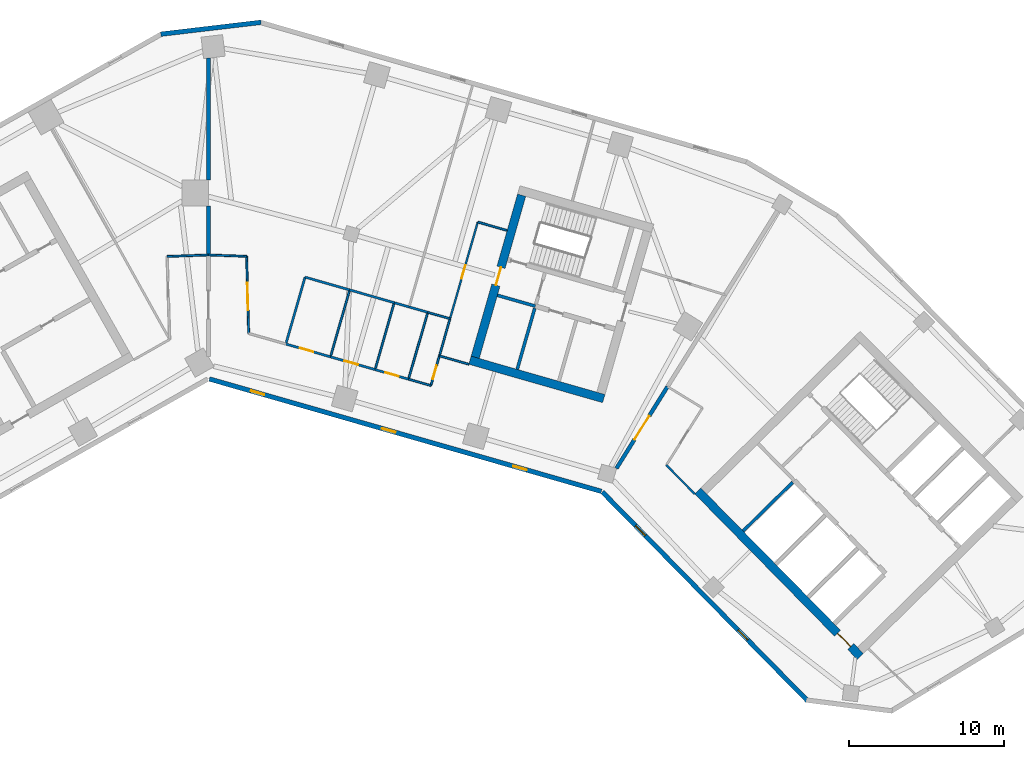
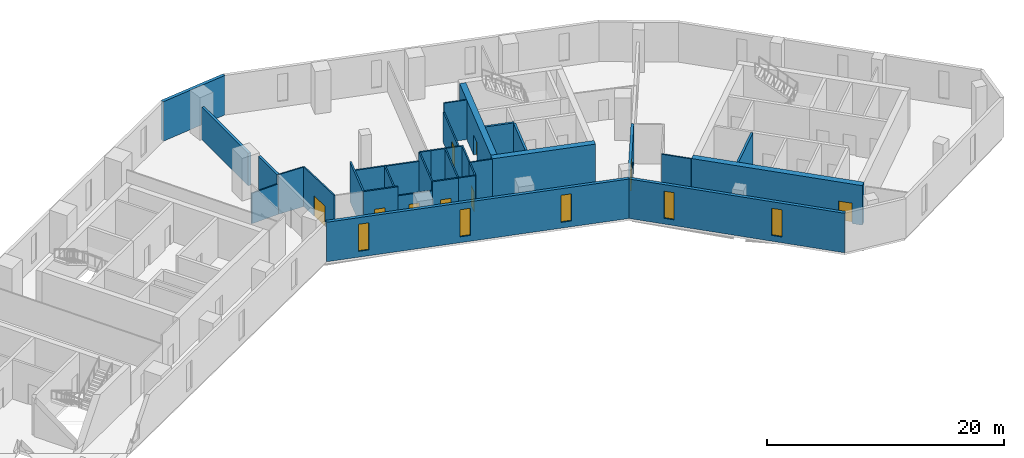
# One storey, part 5 of 10: 34 walls, 9 doors, 5 windows, 14 openings.
"""IFC4 building model written with IfcOpenShell, lengths in metres."""

import ifcopenshell
import ifcopenshell.guid

model = None  # the IFC model being written
_history = None  # IfcOwnerHistory: only IFC2X3 demands one
_inside = {}  # id of a spatial element -> (the spatial element, [elements in it])
_under = {}  # id of a project, library or spatial element -> (it, [spatial elements below it])
_declared = {}  # id of a project -> (the project, [libraries it declares])
_typed = {}  # id of a type object -> (the type object, [elements of that type])
_made_of = {}  # id of a material, layer set ... -> (it, [elements and type objects made of it])


def new_model(schema):
    """Start an empty IFC model of exactly this schema.

    Asked for "IFC4X3", IfcOpenShell would pick the latest addendum, in which some entities
    have other attributes; the version numbers below select the first issue.
    IFC2X3 requires an IfcOwnerHistory on every rooted entity: one is made here for all.
    """
    global model, _history
    if schema == "IFC4X3":
        model = ifcopenshell.file(schema_version=(4, 3, 0, 0))
    else:
        model = ifcopenshell.file(schema=schema)
    _inside.clear()
    _under.clear()
    _declared.clear()
    _typed.clear()
    _made_of.clear()
    _history = None
    if model.schema == "IFC2X3":
        org = make("IfcOrganization", Name="unknown")
        user = make(
            "IfcPersonAndOrganization",
            ThePerson=make("IfcPerson", FamilyName="unknown"),
            TheOrganization=org,
        )
        app = make(
            "IfcApplication",
            ApplicationDeveloper=org,
            Version="unknown",
            ApplicationFullName="unknown",
            ApplicationIdentifier="unknown",
        )
        _history = make(
            "IfcOwnerHistory",
            OwningUser=user,
            OwningApplication=app,
            ChangeAction="ADDED",
            CreationDate=0,
        )
    return model


def make(cls, **values):
    """One entity of the class cls with the attributes given. An attribute that is None is left unset."""
    return model.create_entity(
        cls, **{name: value for name, value in values.items() if value is not None}
    )


def rooted(cls, **values):
    """An entity with a GlobalId (a new one), such as an element, a storey or a relation."""
    return make(cls, GlobalId=ifcopenshell.guid.new(), OwnerHistory=_history, **values)


def si_unit(unit_type, name, prefix=None):
    """IfcSIUnit, for example si_unit("LENGTHUNIT", "METRE", prefix="MILLI")."""
    return make("IfcSIUnit", UnitType=unit_type, Prefix=prefix, Name=name)


def assignment(units):
    """IfcUnitAssignment: the units of a project."""
    return None if units is None else make("IfcUnitAssignment", Units=units)


def point(xyz):
    """IfcCartesianPoint."""
    return None if xyz is None else make("IfcCartesianPoint", Coordinates=xyz)


def direction(xyz):
    """IfcDirection."""
    return None if xyz is None else make("IfcDirection", DirectionRatios=xyz)


def frame(location, z_axis=None, x_axis=None):
    """IfcAxis2Placement3D, a coordinate frame: its origin and axes. An axis left out is left unset."""
    return make(
        "IfcAxis2Placement3D",
        Location=point(location),
        Axis=direction(z_axis),
        RefDirection=direction(x_axis),
    )


def frame_2d(location, x_axis=None):
    """IfcAxis2Placement2D, a coordinate frame in the plane: its origin and x axis."""
    return make(
        "IfcAxis2Placement2D", Location=point(location), RefDirection=direction(x_axis)
    )


def origin():
    """The frame at (0, 0, 0) with its axes left unset."""
    return frame((0.0, 0.0, 0.0))


def place(relative_to, where):
    """IfcLocalPlacement: puts the frame where relative to a parent placement (None: the world)."""
    return make(
        "IfcLocalPlacement", PlacementRelTo=relative_to, RelativePlacement=where
    )


def context(
    kind, dimensions, precision=None, world=None, true_north=None, identifier=None
):
    """IfcGeometricRepresentationContext, for example the 3D "Model" context."""
    return make(
        "IfcGeometricRepresentationContext",
        ContextIdentifier=identifier,
        ContextType=kind,
        CoordinateSpaceDimension=dimensions,
        Precision=precision,
        WorldCoordinateSystem=world,
        TrueNorth=true_north,
    )


def subcontext(parent, identifier, kind, view, scale=None):
    """IfcGeometricRepresentationSubContext, for example "Body" below "Model"."""
    return make(
        "IfcGeometricRepresentationSubContext",
        ContextIdentifier=identifier,
        ContextType=kind,
        ParentContext=parent,
        TargetScale=scale,
        TargetView=view,
    )


def project(units=None, contexts=None):
    """IfcProject with its units and contexts."""
    return rooted(
        "IfcProject",
        Name="project",
        RepresentationContexts=contexts,
        UnitsInContext=assignment(units),
    )


def spatial(cls, under=None, at=None, **own):
    """A site, building, storey or space (cls), placed at a placement, below another one or the project."""
    s = rooted(cls, ObjectPlacement=at, **own)
    if under is not None:
        _under.setdefault(under.id(), (under, []))[1].append(s)
    return s


def profile(cls, at=None, kind="AREA", **sizes):
    """A parametric profile (cls). Its sizes go by their IFC names, for example OverallWidth=200.0."""
    return make(cls, ProfileType=kind, Position=at, **sizes)


def rectangle(**sizes):
    """IfcRectangleProfileDef."""
    return profile("IfcRectangleProfileDef", **sizes)


def extrude(swept, where, along, depth):
    """IfcExtrudedAreaSolid: the profile swept, set in the frame where, extruded along a direction by depth."""
    return make(
        "IfcExtrudedAreaSolid",
        SweptArea=swept,
        Position=where,
        ExtrudedDirection=direction(along),
        Depth=depth,
    )


def shape(context_of_items, identifier, shape_type, items):
    """IfcShapeRepresentation: the items that make up one representation, for example the "Body"."""
    return make(
        "IfcShapeRepresentation",
        ContextOfItems=context_of_items,
        RepresentationIdentifier=identifier,
        RepresentationType=shape_type,
        Items=items,
    )


def material(Name=None, Category=None):
    """IfcMaterial."""
    return make("IfcMaterial", Name=Name, Category=Category)


def layer(
    of_material, thickness, ventilated=None, Name=None, Category=None, Priority=None
):
    """IfcMaterialLayer: one layer of a wall or slab, of a material (None: an air gap)."""
    return make(
        "IfcMaterialLayer",
        Material=of_material,
        LayerThickness=thickness,
        IsVentilated=ventilated,
        Name=Name,
        Category=Category,
        Priority=Priority,
    )


def layer_set(layers, Name=None):
    """IfcMaterialLayerSet."""
    return make("IfcMaterialLayerSet", MaterialLayers=layers, LayerSetName=Name)


def made_of(thing, what):
    """Note that an element or type object is made of a material, layer set ...; save() writes the relation."""
    if what is not None:
        _made_of.setdefault(what.id(), (what, []))[1].append(thing)
    return thing


def type_object(cls, material=None, **own):
    """A type object (cls), such as IfcWallType, which elements share."""
    return made_of(rooted(cls, **own), material)


def element(
    cls,
    number,
    at=None,
    inside=None,
    cuts=None,
    type_object=None,
    material=None,
    context=None,
    identifier="Body",
    shape_type=None,
    held_by="IfcProductDefinitionShape",
    body=None,
    shapes=None,
    **own,
):
    """One element of the class cls, such as IfcWall. Its Tag is "e" and its number.

    at: its placement. inside: the storey or other place that contains it. cuts: it is an
    opening in that element (IfcRelVoidsElement). A single representation is given by context,
    identifier, shape_type and body (its items); several are given by shapes. held_by: the class
    of the entity that holds the representations. save() writes the other relations.
    """
    e = rooted(cls, Tag="e%d" % number, ObjectPlacement=at, **own)
    if body is not None:
        shapes = [shape(context, identifier, shape_type, body)]
    if shapes is not None:
        e.Representation = make(held_by, Representations=shapes)
    if inside is not None:
        _inside.setdefault(inside.id(), (inside, []))[1].append(e)
    if cuts is not None:
        rooted(
            "IfcRelVoidsElement", RelatingBuildingElement=cuts, RelatedOpeningElement=e
        )
    if type_object is not None:
        _typed.setdefault(type_object.id(), (type_object, []))[1].append(e)
    return made_of(e, material)


def fill(opening, filler):
    """IfcRelFillsElement: the door or window that sits in an opening."""
    return rooted(
        "IfcRelFillsElement",
        RelatingOpeningElement=opening,
        RelatedBuildingElement=filler,
    )


def aggregate(whole, parts):
    """IfcRelAggregates: a whole, such as a stair, and the parts it consists of."""
    return rooted("IfcRelAggregates", RelatingObject=whole, RelatedObjects=parts)


def save(model, path):
    """Write the relations noted so far, then the file.

    IfcRelAggregates (storeys below a building ...), IfcRelContainedInSpatialStructure (elements
    in a storey), IfcRelDefinesByType, IfcRelAssociatesMaterial and IfcRelDeclares: one each for
    every whole, place, type object, material and project.
    """
    for whole, parts in _under.values():
        aggregate(whole, parts)
    for where, things in _inside.values():
        rooted(
            "IfcRelContainedInSpatialStructure",
            RelatedElements=things,
            RelatingStructure=where,
        )
    for kind, things in _typed.values():
        rooted("IfcRelDefinesByType", RelatedObjects=things, RelatingType=kind)
    for what, things in _made_of.values():
        rooted("IfcRelAssociatesMaterial", RelatedObjects=things, RelatingMaterial=what)
    for by, libraries in _declared.values():
        rooted("IfcRelDeclares", RelatingContext=by, RelatedDefinitions=libraries)
    model.write(path)


model = new_model("IFC4")

# Units and contexts
model_context = context("Model", 3, precision=1e-05, world=origin(), true_north=direction((0.0, 1.0)))
body_context = subcontext(model_context, "Body", "Model", "MODEL_VIEW")
ifc_project = project(units=[si_unit("LENGTHUNIT", "METRE"), si_unit("AREAUNIT", "SQUARE_METRE"), si_unit("VOLUMEUNIT", "CUBIC_METRE"), si_unit("PLANEANGLEUNIT", "RADIAN"), si_unit("MASSUNIT", "GRAM", prefix="KILO")], contexts=[model_context])

# Site, building, storey
site_placement = place(None, origin())
site = spatial("IfcSite", under=ifc_project, at=site_placement, CompositionType="ELEMENT")
building_placement = place(site_placement, origin())
building = spatial("IfcBuilding", under=site, at=building_placement, Name="Binnacle Exchange Tower", CompositionType="ELEMENT")
storey_placement = place(building_placement, frame((0.0, 0.0, 101.5)))
storey = spatial("IfcBuildingStorey", under=building, at=storey_placement, Name="L20", CompositionType="ELEMENT", Elevation=101.5)

# Wall, opening, door
ifc_material_1 = material(Name="Concrete C70/85", Category="concrete")
ifc_layer_1 = layer(ifc_material_1, 0.550048828125)
ifc_layer_set_1 = layer_set([ifc_layer_1], Name="Core wall - outer 550")
wall_type_1 = type_object("IfcWallType", Name="Core wall - outer 550", PredefinedType="SOLIDWALL", material=ifc_layer_set_1)
wall_1_placement = place(storey_placement, frame((31.627685546875, 40.7451171875, 0.0), z_axis=(0.0, 0.0, 1.0), x_axis=(0.700911255944, -0.713248491965, 0.0)))
wall_1 = element("IfcWall", 1, at=wall_1_placement, inside=storey, type_object=wall_type_1, Name="Core wall CRWB1", PredefinedType="SOLIDWALL", context=body_context, shape_type="SweptSolid", body=[
    extrude(rectangle(XDim=15.0, YDim=0.550048828125, at=frame_2d((7.5, 0.0))), origin(), (0.0, 0.0, 1.0), 4.080078125),
])
opening_1_placement = place(wall_1_placement, frame((12.89990234375, 0.0, 0.0)))
opening_1 = element("IfcOpeningElement", 2, at=opening_1_placement, cuts=wall_1, Name="Opening DB7", PredefinedType="OPENING", context=body_context, shape_type="SweptSolid", body=[
    extrude(rectangle(XDim=1.199951171875, YDim=2.10009765625, at=frame_2d((0.60009765625, 1.050048828125))), frame((0.0, 0.284912109375, 0.0), z_axis=(0.0, -1.0, 0.0), x_axis=(1.0, 0.0, 0.0)), (0.0, 0.0, 1.0), 0.570068359375),
])
ifc_material_2 = material(Name="Steel door leaf", Category="steel")
door_type_1 = type_object("IfcDoorType", Name="Fire door 1200", OperationType="NOTDEFINED", PredefinedType="DOOR", material=ifc_material_2)
door_1_placement = place(opening_1_placement, frame((1.199951171875, 0.0, 0.0), z_axis=(0.0, 0.0, 1.0), x_axis=(-1.0, 0.0, 0.0)))
door_1 = element("IfcDoor", 3, at=door_1_placement, inside=storey, type_object=door_type_1, Name="Lift lobby entrance door core B", OperationType="SINGLE_SWING_LEFT", OverallHeight=2.10009765625, OverallWidth=1.199951171875, PredefinedType="DOOR", context=body_context, shape_type="SweptSolid", body=[
    extrude(rectangle(XDim=1.199951171875, YDim=2.10009765625, at=frame_2d((0.60009765625, 1.050048828125))), frame((0.0, 0.02490234375, 0.0), z_axis=(0.0, -1.0, 0.0), x_axis=(1.0, 0.0, 0.0)), (0.0, 0.0, 1.0), 0.050048828125),
])
fill(opening_1, door_1)

# Wall
wall_2_placement = place(storey_placement, frame((16.90380859375, 49.197265625, 0.0), z_axis=(0.0, 0.0, 1.0), x_axis=(0.96126248289, -0.275634611374, 0.0)))
element("IfcWall", 4, at=wall_2_placement, inside=storey, type_object=wall_type_1, Name="Core wall CRWD1", PredefinedType="SOLIDWALL", context=body_context, shape_type="SweptSolid", body=[
    extrude(rectangle(XDim=9.0, YDim=0.550048828125, at=frame_2d((4.5, 0.0))), origin(), (0.0, 0.0, 1.0), 4.080078125),
])

# Wall, opening, door
wall_3_placement = place(storey_placement, frame((17.243896484375, 49.3857421875, 0.0), z_axis=(0.0, 0.0, 1.0), x_axis=(0.275632146085, 0.96126318979, 0.0)))
wall_3 = element("IfcWall", 5, at=wall_3_placement, inside=storey, type_object=wall_type_1, Name="Core wall CRWD7", PredefinedType="SOLIDWALL", context=body_context, shape_type="SweptSolid", body=[
    extrude(rectangle(XDim=10.89990234375, YDim=0.550048828125, at=frame_2d((5.449951171875, 0.0))), origin(), (0.0, 0.0, 1.0), 4.080078125),
])
opening_2_placement = place(wall_3_placement, frame((4.85009765625, 0.0, 0.0)))
opening_2 = element("IfcOpeningElement", 6, at=opening_2_placement, cuts=wall_3, Name="Opening DD5", PredefinedType="OPENING", context=body_context, shape_type="SweptSolid", body=[
    extrude(rectangle(XDim=1.199951171875, YDim=2.10009765625, at=frame_2d((0.60009765625, 1.050048828125))), frame((0.0, 0.284912109375, 0.0), z_axis=(0.0, -1.0, 0.0), x_axis=(1.0, 0.0, 0.0)), (0.0, 0.0, 1.0), 0.570068359375),
])
door_2_placement = place(opening_2_placement, origin())
door_2 = element("IfcDoor", 7, at=door_2_placement, inside=storey, type_object=door_type_1, Name="Vestibule exit door VEST-W", OperationType="SINGLE_SWING_RIGHT", OverallHeight=2.10009765625, OverallWidth=1.199951171875, PredefinedType="DOOR", context=body_context, shape_type="SweptSolid", body=[
    extrude(rectangle(XDim=1.199951171875, YDim=2.10009765625, at=frame_2d((0.60009765625, 1.050048828125))), frame((0.0, 0.02490234375, 0.0), z_axis=(0.0, -1.0, 0.0), x_axis=(1.0, 0.0, 0.0)), (0.0, 0.0, 1.0), 0.050048828125),
])
fill(opening_2, door_2)

# Wall
ifc_material_3 = material(Name="Bronze aluminium cladding", Category="aluminium")
ifc_layer_2 = layer(ifc_material_3, 0.300048828125)
ifc_layer_set_2 = layer_set([ifc_layer_2], Name="External wall - spandrel 300")
wall_type_2 = type_object("IfcWallType", Name="External wall - spandrel 300", PredefinedType="STANDARD", material=ifc_layer_set_2)
wall_4_placement = place(storey_placement, frame((-3.076171875, 70.27294921875, 0.0), z_axis=(0.0, 0.0, 1.0), x_axis=(0.993067743007, 0.117543429416, 0.0)))
element("IfcWall", 8, at=wall_4_placement, inside=storey, type_object=wall_type_2, Name="External wall EW-F02 L20", PredefinedType="STANDARD", context=body_context, shape_type="SweptSolid", body=[
    extrude(rectangle(XDim=6.515625, YDim=0.300048828125, at=frame_2d((3.2578125, 0.0))), origin(), (0.0, 0.0, 1.0), 4.080078125),
])

# Wall, openings, windows
wall_5_placement = place(storey_placement, frame((25.398193359375, 40.71728515625, 0.0), z_axis=(0.0, 0.0, 1.0), x_axis=(-0.961262423262, 0.275634819324, 0.0)))
wall_5 = element("IfcWall", 9, at=wall_5_placement, inside=storey, type_object=wall_type_2, Name="External wall EW-F08 L20", PredefinedType="STANDARD", context=body_context, shape_type="SweptSolid", body=[
    extrude(rectangle(XDim=26.358642578125, YDim=0.300048828125, at=frame_2d((13.17919921875, 0.0))), origin(), (0.0, 0.0, 1.0), 4.080078125),
])
opening_3_placement = place(wall_5_placement, frame((22.6640625, 0.0, 0.60009765625)))
opening_3 = element("IfcOpeningElement", 10, at=opening_3_placement, cuts=wall_5, Name="Opening WS2", PredefinedType="OPENING", context=body_context, shape_type="SweptSolid", body=[
    extrude(rectangle(XDim=0.89990234375, YDim=2.800048828125, at=frame_2d((0.449951171875, 1.39990234375))), frame((0.0, 0.159912109375, 0.0), z_axis=(0.0, -1.0, 0.0), x_axis=(1.0, 0.0, 0.0)), (0.0, 0.0, 1.0), 0.320068359375),
])
opening_4_placement = place(wall_5_placement, frame((13.843505859375, 0.0, 0.60009765625)))
opening_4 = element("IfcOpeningElement", 11, at=opening_4_placement, cuts=wall_5, Name="Opening WS2", PredefinedType="OPENING", context=body_context, shape_type="SweptSolid", body=[
    extrude(rectangle(XDim=0.89990234375, YDim=2.800048828125, at=frame_2d((0.449951171875, 1.39990234375))), frame((0.0, 0.159912109375, 0.0), z_axis=(0.0, -1.0, 0.0), x_axis=(1.0, 0.0, 0.0)), (0.0, 0.0, 1.0), 0.320068359375),
])
opening_5_placement = place(wall_5_placement, frame((5.023193359375, 0.0, 0.60009765625)))
opening_5 = element("IfcOpeningElement", 12, at=opening_5_placement, cuts=wall_5, Name="Opening WS2", PredefinedType="OPENING", context=body_context, shape_type="SweptSolid", body=[
    extrude(rectangle(XDim=0.89990234375, YDim=2.800048828125, at=frame_2d((0.449951171875, 1.39990234375))), frame((0.0, 0.159912109375, 0.0), z_axis=(0.0, -1.0, 0.0), x_axis=(1.0, 0.0, 0.0)), (0.0, 0.0, 1.0), 0.320068359375),
])
ifc_material_4 = material(Name="Bronze anodised aluminium frame", Category="aluminium")
window_type = type_object("IfcWindowType", Name="WS2 WINDOW 900x2800", PartitioningType="SINGLE_PANEL", PredefinedType="WINDOW", material=ifc_material_4)
window_1_placement = place(opening_3_placement, origin())
window_1 = element("IfcWindow", 13, at=window_1_placement, inside=storey, type_object=window_type, Name="Window WS2 L20", OverallHeight=2.800048828125, OverallWidth=0.89990234375, PartitioningType="SINGLE_PANEL", PredefinedType="WINDOW", context=body_context, shape_type="SweptSolid", body=[
    extrude(rectangle(XDim=0.89990234375, YDim=2.800048828125, at=frame_2d((0.449951171875, 1.39990234375))), frame((0.0, 0.030029296875, 0.0), z_axis=(0.0, -1.0, 0.0), x_axis=(1.0, 0.0, 0.0)), (0.0, 0.0, 1.0), 0.06005859375),
])
fill(opening_3, window_1)
window_2_placement = place(opening_4_placement, origin())
window_2 = element("IfcWindow", 14, at=window_2_placement, inside=storey, type_object=window_type, Name="Window WS2 L20", OverallHeight=2.800048828125, OverallWidth=0.89990234375, PartitioningType="SINGLE_PANEL", PredefinedType="WINDOW", context=body_context, shape_type="SweptSolid", body=[
    extrude(rectangle(XDim=0.89990234375, YDim=2.800048828125, at=frame_2d((0.449951171875, 1.39990234375))), frame((0.0, 0.030029296875, 0.0), z_axis=(0.0, -1.0, 0.0), x_axis=(1.0, 0.0, 0.0)), (0.0, 0.0, 1.0), 0.06005859375),
])
fill(opening_4, window_2)
window_3_placement = place(opening_5_placement, origin())
window_3 = element("IfcWindow", 15, at=window_3_placement, inside=storey, type_object=window_type, Name="Window WS2 L20", OverallHeight=2.800048828125, OverallWidth=0.89990234375, PartitioningType="SINGLE_PANEL", PredefinedType="WINDOW", context=body_context, shape_type="SweptSolid", body=[
    extrude(rectangle(XDim=0.89990234375, YDim=2.800048828125, at=frame_2d((0.449951171875, 1.39990234375))), frame((0.0, 0.030029296875, 0.0), z_axis=(0.0, -1.0, 0.0), x_axis=(1.0, 0.0, 0.0)), (0.0, 0.0, 1.0), 0.06005859375),
])
fill(opening_5, window_3)

wall_6_placement = place(storey_placement, frame((38.727294921875, 27.18115234375, 0.0), z_axis=(0.0, 0.0, 1.0), x_axis=(-0.700906405975, 0.713253258011, 0.0)))
wall_6 = element("IfcWall", 16, at=wall_6_placement, inside=storey, type_object=wall_type_2, Name="External wall EW-F09 L20", PredefinedType="STANDARD", context=body_context, shape_type="SweptSolid", body=[
    extrude(rectangle(XDim=18.92333984375, YDim=0.300048828125, at=frame_2d((9.461669921875, 0.0))), origin(), (0.0, 0.0, 1.0), 4.080078125),
])
opening_6_placement = place(wall_6_placement, frame((14.967041015625, 0.0, 0.60009765625)))
opening_6 = element("IfcOpeningElement", 17, at=opening_6_placement, cuts=wall_6, Name="Opening WS2", PredefinedType="OPENING", context=body_context, shape_type="SweptSolid", body=[
    extrude(rectangle(XDim=0.89990234375, YDim=2.800048828125, at=frame_2d((0.449951171875, 1.39990234375))), frame((0.0, 0.159912109375, 0.0), z_axis=(0.0, -1.0, 0.0), x_axis=(1.0, 0.0, 0.0)), (0.0, 0.0, 1.0), 0.320068359375),
])
opening_7_placement = place(wall_6_placement, frame((5.51171875, 0.0, 0.60009765625)))
opening_7 = element("IfcOpeningElement", 18, at=opening_7_placement, cuts=wall_6, Name="Opening WS2", PredefinedType="OPENING", context=body_context, shape_type="SweptSolid", body=[
    extrude(rectangle(XDim=0.89990234375, YDim=2.800048828125, at=frame_2d((0.449951171875, 1.39990234375))), frame((0.0, 0.159912109375, 0.0), z_axis=(0.0, -1.0, 0.0), x_axis=(1.0, 0.0, 0.0)), (0.0, 0.0, 1.0), 0.320068359375),
])
window_4_placement = place(opening_6_placement, origin())
window_4 = element("IfcWindow", 19, at=window_4_placement, inside=storey, type_object=window_type, Name="Window WS2 L20", OverallHeight=2.800048828125, OverallWidth=0.89990234375, PartitioningType="SINGLE_PANEL", PredefinedType="WINDOW", context=body_context, shape_type="SweptSolid", body=[
    extrude(rectangle(XDim=0.89990234375, YDim=2.800048828125, at=frame_2d((0.449951171875, 1.39990234375))), frame((0.0, 0.030029296875, 0.0), z_axis=(0.0, -1.0, 0.0), x_axis=(1.0, 0.0, 0.0)), (0.0, 0.0, 1.0), 0.06005859375),
])
fill(opening_6, window_4)
window_5_placement = place(opening_7_placement, origin())
window_5 = element("IfcWindow", 20, at=window_5_placement, inside=storey, type_object=window_type, Name="Window WS2 L20", OverallHeight=2.800048828125, OverallWidth=0.89990234375, PartitioningType="SINGLE_PANEL", PredefinedType="WINDOW", context=body_context, shape_type="SweptSolid", body=[
    extrude(rectangle(XDim=0.89990234375, YDim=2.800048828125, at=frame_2d((0.449951171875, 1.39990234375))), frame((0.0, 0.030029296875, 0.0), z_axis=(0.0, -1.0, 0.0), x_axis=(1.0, 0.0, 0.0)), (0.0, 0.0, 1.0), 0.06005859375),
])
fill(opening_7, window_5)

# Walls
ifc_material_5 = material(Name="Concrete fire wall C30/37", Category="concrete")
ifc_layer_3 = layer(ifc_material_5, 0.25)
ifc_layer_set_3 = layer_set([ifc_layer_3], Name="Fire wall - compartment 250")
wall_type_3 = type_object("IfcWallType", Name="Fire wall - compartment 250", PredefinedType="PARTITIONING", material=ifc_layer_set_3)
wall_7_placement = place(storey_placement, frame((0.0, 56.0, 0.0), z_axis=(0.0, 0.0, 1.0), x_axis=(0.0, 1.0, 0.0)))
element("IfcWall", 21, at=wall_7_placement, inside=storey, type_object=wall_type_3, Name="Fire Wall W11", PredefinedType="PARTITIONING", context=body_context, shape_type="SweptSolid", body=[
    extrude(rectangle(XDim=3.14990234375, YDim=0.25, at=frame_2d((1.574951171875, 0.0))), origin(), (0.0, 0.0, 1.0), 4.080078125),
])
wall_8_placement = place(storey_placement, frame((0.0, 60.85009765625, 0.0), z_axis=(0.0, 0.0, 1.0), x_axis=(0.0, 1.0, 0.0)))
element("IfcWall", 22, at=wall_8_placement, inside=storey, type_object=wall_type_3, Name="Fire Wall W13", PredefinedType="PARTITIONING", context=body_context, shape_type="SweptSolid", body=[
    extrude(rectangle(XDim=7.8740234375, YDim=0.25, at=frame_2d((3.93701171875, 0.0))), origin(), (0.0, 0.0, 1.0), 3.35205078125),
])

# Wall, opening, door
wall_9_placement = place(storey_placement, frame((26.373046875, 42.2060546875, 0.0), z_axis=(0.0, 0.0, 1.0), x_axis=(0.52987567935, 0.848075329457, 0.0)))
wall_9 = element("IfcWall", 23, at=wall_9_placement, inside=storey, type_object=wall_type_3, Name="Fire Wall W36", PredefinedType="PARTITIONING", context=body_context, shape_type="SweptSolid", body=[
    extrude(rectangle(XDim=6.231689453125, YDim=0.25, at=frame_2d((3.11572265625, 0.0))), origin(), (0.0, 0.0, 1.0), 4.080078125),
])
opening_8_placement = place(wall_9_placement, frame((2.199951171875, 0.0, 0.0)))
opening_8 = element("IfcOpeningElement", 24, at=opening_8_placement, cuts=wall_9, Name="Opening DL19-14", PredefinedType="OPENING", context=body_context, shape_type="SweptSolid", body=[
    extrude(rectangle(XDim=1.800048828125, YDim=2.10009765625, at=frame_2d((0.89990234375, 1.050048828125))), frame((0.0, 0.135009765625, 0.0), z_axis=(0.0, -1.0, 0.0), x_axis=(1.0, 0.0, 0.0)), (0.0, 0.0, 1.0), 0.27001953125),
])
door_type_2 = type_object("IfcDoorType", Name="Fire door 1800", OperationType="NOTDEFINED", PredefinedType="DOOR", material=ifc_material_2)
door_3_placement = place(opening_8_placement, origin())
door_3 = element("IfcDoor", 25, at=door_3_placement, inside=storey, type_object=door_type_2, Name="Door DL19-14", OperationType="DOUBLE_DOOR_SINGLE_SWING", OverallHeight=2.10009765625, OverallWidth=1.800048828125, PredefinedType="DOOR", context=body_context, shape_type="SweptSolid", body=[
    extrude(rectangle(XDim=1.800048828125, YDim=2.10009765625, at=frame_2d((0.89990234375, 1.050048828125))), frame((0.0, 0.02490234375, 0.0), z_axis=(0.0, -1.0, 0.0), x_axis=(1.0, 0.0, 0.0)), (0.0, 0.0, 1.0), 0.050048828125),
])
fill(opening_8, door_3)

# Wall
ifc_material_6 = material(Name="Gypsum partition fire rated")
ifc_layer_4 = layer(ifc_material_6, 0.14990234375)
ifc_layer_set_4 = layer_set([ifc_layer_4], Name="Fire-rated partition 150")
wall_type_4 = type_object("IfcWallType", Name="Fire-rated partition 150", PredefinedType="PARTITIONING", material=ifc_layer_set_4)
wall_10_placement = place(storey_placement, frame((5.00390625, 50.242919921875, 0.0), z_axis=(0.0, 0.0, 1.0), x_axis=(0.275838825927, 0.961203902464, 0.0)))
element("IfcWall", 26, at=wall_10_placement, inside=storey, type_object=wall_type_4, Name="Partition W16", PredefinedType="PARTITIONING", context=body_context, shape_type="SweptSolid", body=[
    extrude(rectangle(XDim=4.499755859375, YDim=0.14990234375, at=frame_2d((2.25, 0.0))), origin(), (0.0, 0.0, 1.0), 4.080078125),
])

# Wall, opening, door
wall_11_placement = place(storey_placement, frame((5.00390625, 50.242919921875, 0.0), z_axis=(0.0, 0.0, 1.0), x_axis=(0.961268664977, -0.27561305073, 0.0)))
wall_11 = element("IfcWall", 27, at=wall_11_placement, inside=storey, type_object=wall_type_4, Name="Partition W17", PredefinedType="PARTITIONING", context=body_context, shape_type="SweptSolid", body=[
    extrude(rectangle(XDim=3.000244140625, YDim=0.14990234375, at=frame_2d((1.5, 0.0))), origin(), (0.0, 0.0, 1.0), 4.080078125),
])
opening_9_placement = place(wall_11_placement, frame((0.949951171875, 0.0, 0.0)))
opening_9 = element("IfcOpeningElement", 28, at=opening_9_placement, cuts=wall_11, Name="Opening DL19-04", PredefinedType="OPENING", context=body_context, shape_type="SweptSolid", body=[
    extrude(rectangle(XDim=0.89990234375, YDim=2.10009765625, at=frame_2d((0.449951171875, 1.050048828125))), frame((0.0, 0.0849609375, 0.0), z_axis=(0.0, -1.0, 0.0), x_axis=(1.0, 0.0, 0.0)), (0.0, 0.0, 1.0), 0.169921875),
])
door_type_3 = type_object("IfcDoorType", Name="Fire door 900", OperationType="NOTDEFINED", PredefinedType="DOOR", material=ifc_material_2)
door_4_placement = place(opening_9_placement, origin())
door_4 = element("IfcDoor", 29, at=door_4_placement, inside=storey, type_object=door_type_3, Name="Door DL19-04", OperationType="SINGLE_SWING_LEFT", OverallHeight=2.10009765625, OverallWidth=0.89990234375, PredefinedType="DOOR", context=body_context, shape_type="SweptSolid", body=[
    extrude(rectangle(XDim=0.89990234375, YDim=2.10009765625, at=frame_2d((0.449951171875, 1.050048828125))), frame((0.0, 0.02490234375, 0.0), z_axis=(0.0, -1.0, 0.0), x_axis=(1.0, 0.0, 0.0)), (0.0, 0.0, 1.0), 0.050048828125),
])
fill(opening_9, door_4)

# Wall
wall_12_placement = place(storey_placement, frame((6.2451171875, 54.568115234375, 0.0), z_axis=(0.0, 0.0, 1.0), x_axis=(0.961240918172, -0.275709806194, 0.0)))
element("IfcWall", 30, at=wall_12_placement, inside=storey, type_object=wall_type_4, Name="Partition W18", PredefinedType="PARTITIONING", context=body_context, shape_type="SweptSolid", body=[
    extrude(rectangle(XDim=3.0, YDim=0.14990234375, at=frame_2d((1.5, 0.0))), origin(), (0.0, 0.0, 1.0), 3.159912109375),
])

# Wall, opening, door
wall_13_placement = place(storey_placement, frame((7.887939453125, 49.416015625, 0.0), z_axis=(0.0, 0.0, 1.0), x_axis=(0.961268664977, -0.27561305073, 0.0)))
wall_13 = element("IfcWall", 31, at=wall_13_placement, inside=storey, type_object=wall_type_4, Name="Partition W20", PredefinedType="PARTITIONING", context=body_context, shape_type="SweptSolid", body=[
    extrude(rectangle(XDim=3.000244140625, YDim=0.14990234375, at=frame_2d((1.5, 0.0))), origin(), (0.0, 0.0, 1.0), 3.14208984375),
])
opening_10_placement = place(wall_13_placement, frame((0.949951171875, 0.0, 0.0)))
opening_10 = element("IfcOpeningElement", 32, at=opening_10_placement, cuts=wall_13, Name="Opening DL19-05", PredefinedType="OPENING", context=body_context, shape_type="SweptSolid", body=[
    extrude(rectangle(XDim=0.89990234375, YDim=2.10009765625, at=frame_2d((0.449951171875, 1.050048828125))), frame((0.0, 0.0849609375, 0.0), z_axis=(0.0, -1.0, 0.0), x_axis=(1.0, 0.0, 0.0)), (0.0, 0.0, 1.0), 0.169921875),
])
door_5_placement = place(opening_10_placement, origin())
door_5 = element("IfcDoor", 33, at=door_5_placement, inside=storey, type_object=door_type_3, Name="Door DL19-05", OperationType="SINGLE_SWING_LEFT", OverallHeight=2.10009765625, OverallWidth=0.89990234375, PredefinedType="DOOR", context=body_context, shape_type="SweptSolid", body=[
    extrude(rectangle(XDim=0.89990234375, YDim=2.10009765625, at=frame_2d((0.449951171875, 1.050048828125))), frame((0.0, 0.02490234375, 0.0), z_axis=(0.0, -1.0, 0.0), x_axis=(1.0, 0.0, 0.0)), (0.0, 0.0, 1.0), 0.050048828125),
])
fill(opening_10, door_5)

# Wall
wall_14_placement = place(storey_placement, frame((9.12890625, 53.740966796875, 0.0), z_axis=(0.0, 0.0, 1.0), x_axis=(0.961243927922, -0.275699312717, 0.0)))
element("IfcWall", 34, at=wall_14_placement, inside=storey, type_object=wall_type_4, Name="Partition W21", PredefinedType="PARTITIONING", context=body_context, shape_type="SweptSolid", body=[
    extrude(rectangle(XDim=2.999267578125, YDim=0.14990234375, at=frame_2d((1.49951171875, 0.0))), origin(), (0.0, 0.0, 1.0), 3.14208984375),
])

# Wall, opening, door
wall_15_placement = place(storey_placement, frame((10.77197265625, 48.589111328125, 0.0), z_axis=(0.0, 0.0, 1.0), x_axis=(0.96127791106, -0.275580800688, 0.0)))
wall_15 = element("IfcWall", 35, at=wall_15_placement, inside=storey, type_object=wall_type_4, Name="Partition W23", PredefinedType="PARTITIONING", context=body_context, shape_type="SweptSolid", body=[
    extrude(rectangle(XDim=2.250244140625, YDim=0.14990234375, at=frame_2d((1.125, 0.0))), origin(), (0.0, 0.0, 1.0), 4.080078125),
])
opening_11_placement = place(wall_15_placement, frame((0.699951171875, 0.0, 0.0)))
opening_11 = element("IfcOpeningElement", 36, at=opening_11_placement, cuts=wall_15, Name="Opening DL19-06", PredefinedType="OPENING", context=body_context, shape_type="SweptSolid", body=[
    extrude(rectangle(XDim=0.89990234375, YDim=2.10009765625, at=frame_2d((0.449951171875, 1.050048828125))), frame((0.0, 0.0849609375, 0.0), z_axis=(0.0, -1.0, 0.0), x_axis=(1.0, 0.0, 0.0)), (0.0, 0.0, 1.0), 0.169921875),
])
door_6_placement = place(opening_11_placement, origin())
door_6 = element("IfcDoor", 37, at=door_6_placement, inside=storey, type_object=door_type_3, Name="Door DL19-06", OperationType="SINGLE_SWING_RIGHT", OverallHeight=2.10009765625, OverallWidth=0.89990234375, PredefinedType="DOOR", context=body_context, shape_type="SweptSolid", body=[
    extrude(rectangle(XDim=0.89990234375, YDim=2.10009765625, at=frame_2d((0.449951171875, 1.050048828125))), frame((0.0, 0.02490234375, 0.0), z_axis=(0.0, -1.0, 0.0), x_axis=(1.0, 0.0, 0.0)), (0.0, 0.0, 1.0), 0.050048828125),
])
fill(opening_11, door_6)

# Walls
wall_16_placement = place(storey_placement, frame((12.011962890625, 52.9140625, 0.0), z_axis=(0.0, 0.0, 1.0), x_axis=(0.961459478043, -0.274946671341, 0.0)))
element("IfcWall", 38, at=wall_16_placement, inside=storey, type_object=wall_type_4, Name="Partition W24", PredefinedType="PARTITIONING", context=body_context, shape_type="SweptSolid", body=[
    extrude(rectangle(XDim=1.000732421875, YDim=0.14990234375, at=frame_2d((0.50048828125, 0.0))), origin(), (0.0, 0.0, 1.0), 4.080078125),
])
wall_17_placement = place(storey_placement, frame((12.97412109375, 52.638916015625, 0.0), z_axis=(0.0, 0.0, 1.0), x_axis=(0.961132191281, -0.276088592454, 0.0)))
element("IfcWall", 39, at=wall_17_placement, inside=storey, type_object=wall_type_4, Name="Partition W27", PredefinedType="PARTITIONING", context=body_context, shape_type="SweptSolid", body=[
    extrude(rectangle(XDim=1.24951171875, YDim=0.14990234375, at=frame_2d((0.624755859375, 0.0))), origin(), (0.0, 0.0, 1.0), 4.080078125),
])
ifc_material_7 = material(Name="Gypsum partition")
ifc_layer_5 = layer(ifc_material_7, 0.125)
ifc_layer_set_5 = layer_set([ifc_layer_5], Name="Partition 125")
wall_type_5 = type_object("IfcWallType", Name="Partition 125", PredefinedType="PARTITIONING", material=ifc_layer_set_5)
wall_18_placement = place(storey_placement, frame((-2.669921875, 55.904052734375, 0.0), z_axis=(0.0, 0.0, 1.0), x_axis=(0.999354913865, 0.03591317494, 0.0)))
element("IfcWall", 40, at=wall_18_placement, inside=storey, type_object=wall_type_5, Name="Partition W09", PredefinedType="PARTITIONING", context=body_context, shape_type="SweptSolid", body=[
    extrude(rectangle(XDim=2.671630859375, YDim=0.125, at=frame_2d((1.3359375, 0.0))), origin(), (0.0, 0.0, 1.0), 3.14208984375),
])
wall_19_placement = place(storey_placement, frame((0.0, 56.0, 0.0), z_axis=(0.0, 0.0, 1.0), x_axis=(0.999349313684, -0.036068673934, 0.0)))
element("IfcWall", 41, at=wall_19_placement, inside=storey, type_object=wall_type_5, Name="Partition W12", PredefinedType="PARTITIONING", context=body_context, shape_type="SweptSolid", body=[
    extrude(rectangle(XDim=2.470703125, YDim=0.125, at=frame_2d((1.2353515625, 0.0))), origin(), (0.0, 0.0, 1.0), 4.080078125),
])

# Wall, opening, door
wall_20_placement = place(storey_placement, frame((2.468994140625, 55.910888671875, 0.0), z_axis=(0.0, 0.0, 1.0), x_axis=(0.02651808123, -0.999648333849, 0.0)))
wall_20 = element("IfcWall", 42, at=wall_20_placement, inside=storey, type_object=wall_type_5, Name="Partition W14", PredefinedType="PARTITIONING", context=body_context, shape_type="SweptSolid", body=[
    extrude(rectangle(XDim=4.980712890625, YDim=0.125, at=frame_2d((2.490234375, 0.0))), origin(), (0.0, 0.0, 1.0), 4.080078125),
])
opening_12_placement = place(wall_20_placement, frame((1.699951171875, 0.0, 0.0)))
opening_12 = element("IfcOpeningElement", 43, at=opening_12_placement, cuts=wall_20, Name="Opening DL19-08", PredefinedType="OPENING", context=body_context, shape_type="SweptSolid", body=[
    extrude(rectangle(XDim=1.800048828125, YDim=2.10009765625, at=frame_2d((0.89990234375, 1.050048828125))), frame((0.0, 0.072509765625, 0.0), z_axis=(0.0, -1.0, 0.0), x_axis=(1.0, 0.0, 0.0)), (0.0, 0.0, 1.0), 0.14501953125),
])
ifc_material_8 = material(Name="Timber door leaf", Category="wood")
door_type_4 = type_object("IfcDoorType", Name="Double door 1800", OperationType="NOTDEFINED", PredefinedType="DOOR", material=ifc_material_8)
door_7_placement = place(opening_12_placement, origin())
door_7 = element("IfcDoor", 44, at=door_7_placement, inside=storey, type_object=door_type_4, Name="Door DL19-08", OperationType="DOUBLE_DOOR_SINGLE_SWING", OverallHeight=2.10009765625, OverallWidth=1.800048828125, PredefinedType="DOOR", context=body_context, shape_type="SweptSolid", body=[
    extrude(rectangle(XDim=1.800048828125, YDim=2.10009765625, at=frame_2d((0.89990234375, 1.050048828125))), frame((0.0, 0.02490234375, 0.0), z_axis=(0.0, -1.0, 0.0), x_axis=(1.0, 0.0, 0.0)), (0.0, 0.0, 1.0), 0.050048828125),
])
fill(opening_12, door_7)

# Walls
wall_21_placement = place(storey_placement, frame((7.887939453125, 49.416015625, 0.0), z_axis=(0.0, 0.0, 1.0), x_axis=(0.275803080638, 0.96121415965, 0.0)))
element("IfcWall", 45, at=wall_21_placement, inside=storey, type_object=wall_type_5, Name="Partition W19", PredefinedType="PARTITIONING", context=body_context, shape_type="SweptSolid", body=[
    extrude(rectangle(XDim=4.49951171875, YDim=0.125, at=frame_2d((2.249755859375, 0.0))), origin(), (0.0, 0.0, 1.0), 3.159912109375),
])
for number, where, z_axis, x_axis, name in (
    (46, (10.77197265625, 48.589111328125, 0.0), (0.0, 0.0, 1.0), (0.275602532653, 0.961271680637, 0.0), "Partition W22"),
    (47, (12.93505859375, 47.968994140625, 0.0), (0.0, 0.0, 1.0), (0.275602532653, 0.961271680637, 0.0), "Partition W25"),
):
    element("IfcWall", number, at=place(storey_placement, frame(where, z_axis=z_axis, x_axis=x_axis)), inside=storey, type_object=wall_type_5, Name=name, PredefinedType="PARTITIONING", context=body_context, shape_type="SweptSolid", body=[
        extrude(rectangle(XDim=4.499267578125, YDim=0.125, at=frame_2d((2.24951171875, 0.0))), origin(), (0.0, 0.0, 1.0), 4.080078125),
    ])
wall_22_placement = place(storey_placement, frame((12.93505859375, 47.968994140625, 0.0), z_axis=(0.0, 0.0, 1.0), x_axis=(0.961154610169, -0.276010534854, 0.0)))
element("IfcWall", 48, at=wall_22_placement, inside=storey, type_object=wall_type_5, Name="Partition W26", PredefinedType="PARTITIONING", context=body_context, shape_type="SweptSolid", body=[
    extrude(rectangle(XDim=1.500244140625, YDim=0.125, at=frame_2d((0.75, 0.0))), origin(), (0.0, 0.0, 1.0), 4.080078125),
])
wall_23_placement = place(storey_placement, frame((14.175048828125, 52.2939453125, 0.0), z_axis=(0.0, 0.0, 1.0), x_axis=(0.961370232732, -0.275258561387, 0.0)))
element("IfcWall", 49, at=wall_23_placement, inside=storey, type_object=wall_type_5, Name="Partition W29", PredefinedType="PARTITIONING", context=body_context, shape_type="SweptSolid", body=[
    extrude(rectangle(XDim=1.499755859375, YDim=0.125, at=frame_2d((0.75, 0.0))), origin(), (0.0, 0.0, 1.0), 4.080078125),
])

# Wall, opening, door
wall_24_placement = place(storey_placement, frame((14.376953125, 47.554931640625, 0.0), z_axis=(0.0, 0.0, 1.0), x_axis=(0.275446387355, 0.961316434736, 0.0)))
wall_24 = element("IfcWall", 50, at=wall_24_placement, inside=storey, type_object=wall_type_5, Name="Partition W30", PredefinedType="PARTITIONING", context=body_context, shape_type="SweptSolid", body=[
    extrude(rectangle(XDim=2.00048828125, YDim=0.125, at=frame_2d((1.000244140625, 0.0))), origin(), (0.0, 0.0, 1.0), 4.080078125),
])
opening_13_placement = place(wall_24_placement, frame((0.449951171875, 0.0, 0.0)))
opening_13 = element("IfcOpeningElement", 51, at=opening_13_placement, cuts=wall_24, Name="Opening DL19-07", PredefinedType="OPENING", context=body_context, shape_type="SweptSolid", body=[
    extrude(rectangle(XDim=0.89990234375, YDim=2.10009765625, at=frame_2d((0.449951171875, 1.050048828125))), frame((0.0, 0.072509765625, 0.0), z_axis=(0.0, -1.0, 0.0), x_axis=(1.0, 0.0, 0.0)), (0.0, 0.0, 1.0), 0.14501953125),
])
door_type_5 = type_object("IfcDoorType", Name="Door 900", OperationType="NOTDEFINED", PredefinedType="DOOR", material=ifc_material_8)
door_8_placement = place(opening_13_placement, origin())
door_8 = element("IfcDoor", 52, at=door_8_placement, inside=storey, type_object=door_type_5, Name="Door DL19-07", OperationType="SINGLE_SWING_LEFT", OverallHeight=2.10009765625, OverallWidth=0.89990234375, PredefinedType="DOOR", context=body_context, shape_type="SweptSolid", body=[
    extrude(rectangle(XDim=0.89990234375, YDim=2.10009765625, at=frame_2d((0.449951171875, 1.050048828125))), frame((0.0, 0.02490234375, 0.0), z_axis=(0.0, -1.0, 0.0), x_axis=(1.0, 0.0, 0.0)), (0.0, 0.0, 1.0), 0.050048828125),
])
fill(opening_13, door_8)

# Walls
wall_25_placement = place(storey_placement, frame((14.927978515625, 49.47802734375, 0.0), z_axis=(0.0, 0.0, 1.0), x_axis=(0.275598116036, 0.961272946898, 0.0)))
element("IfcWall", 53, at=wall_25_placement, inside=storey, type_object=wall_type_5, Name="Partition W31", PredefinedType="PARTITIONING", context=body_context, shape_type="SweptSolid", body=[
    extrude(rectangle(XDim=2.5, YDim=0.125, at=frame_2d((1.25, 0.0))), origin(), (0.0, 0.0, 1.0), 4.080078125),
])
wall_26_placement = place(storey_placement, frame((14.927978515625, 49.47802734375, 0.0), z_axis=(0.0, 0.0, 1.0), x_axis=(0.961243778232, -0.27569983462, 0.0)))
element("IfcWall", 54, at=wall_26_placement, inside=storey, type_object=wall_type_5, Name="Partition W32", PredefinedType="PARTITIONING", context=body_context, shape_type="SweptSolid", body=[
    extrude(rectangle(XDim=1.9765625, YDim=0.125, at=frame_2d((0.98828125, 0.0))), origin(), (0.0, 0.0, 1.0), 4.080078125),
])

# Wall, opening, door
wall_27_placement = place(storey_placement, frame((15.616943359375, 51.881103515625, 0.0), z_axis=(0.0, 0.0, 1.0), x_axis=(0.275703259795, 0.961242795832, 0.0)))
wall_27 = element("IfcWall", 55, at=wall_27_placement, inside=storey, type_object=wall_type_5, Name="Partition W33", PredefinedType="PARTITIONING", context=body_context, shape_type="SweptSolid", body=[
    extrude(rectangle(XDim=6.499755859375, YDim=0.125, at=frame_2d((3.25, 0.0))), origin(), (0.0, 0.0, 1.0), 3.14208984375),
])
opening_14_placement = place(wall_27_placement, frame((2.699951171875, 0.0, 0.0)))
opening_14 = element("IfcOpeningElement", 56, at=opening_14_placement, cuts=wall_27, Name="Opening DL19-09", PredefinedType="OPENING", context=body_context, shape_type="SweptSolid", body=[
    extrude(rectangle(XDim=0.89990234375, YDim=2.10009765625, at=frame_2d((0.449951171875, 1.050048828125))), frame((0.0, 0.072509765625, 0.0), z_axis=(0.0, -1.0, 0.0), x_axis=(1.0, 0.0, 0.0)), (0.0, 0.0, 1.0), 0.14501953125),
])
door_9_placement = place(opening_14_placement, origin())
door_9 = element("IfcDoor", 57, at=door_9_placement, inside=storey, type_object=door_type_5, Name="Door DL19-09", OperationType="SINGLE_SWING_LEFT", OverallHeight=2.10009765625, OverallWidth=0.89990234375, PredefinedType="DOOR", context=body_context, shape_type="SweptSolid", body=[
    extrude(rectangle(XDim=0.89990234375, YDim=2.10009765625, at=frame_2d((0.449951171875, 1.050048828125))), frame((0.0, 0.02490234375, 0.0), z_axis=(0.0, -1.0, 0.0), x_axis=(1.0, 0.0, 0.0)), (0.0, 0.0, 1.0), 0.050048828125),
])
fill(opening_14, door_9)

# Walls
wall_28_placement = place(storey_placement, frame((17.408935546875, 58.12890625, 0.0), z_axis=(0.0, 0.0, 1.0), x_axis=(0.961253165474, -0.275667103345, 0.0)))
element("IfcWall", 58, at=wall_28_placement, inside=storey, type_object=wall_type_5, Name="Partition W34", PredefinedType="PARTITIONING", context=body_context, shape_type="SweptSolid", body=[
    extrude(rectangle(XDim=1.976806640625, YDim=0.125, at=frame_2d((0.98828125, 0.0))), origin(), (0.0, 0.0, 1.0), 4.080078125),
])
wall_29_placement = place(storey_placement, frame((29.60009765625, 42.416015625, 0.0), z_axis=(0.0, 0.0, 1.0), x_axis=(0.700914320664, -0.713245480244, 0.0)))
element("IfcWall", 59, at=wall_29_placement, inside=storey, type_object=wall_type_5, Name="Partition W38", PredefinedType="PARTITIONING", context=body_context, shape_type="SweptSolid", body=[
    extrude(rectangle(XDim=2.613525390625, YDim=0.125, at=frame_2d((1.306640625, 0.0))), origin(), (0.0, 0.0, 1.0), 4.080078125),
])
ifc_material_9 = material(Name="Masonry block wall", Category="masonry")
ifc_layer_6 = layer(ifc_material_9, 0.199951171875)
ifc_layer_set_6 = layer_set([ifc_layer_6], Name="Riser wall 200")
wall_type_6 = type_object("IfcWallType", Name="Riser wall 200", PredefinedType="SOLIDWALL", material=ifc_layer_set_6)
wall_30_placement = place(storey_placement, frame((34.5576171875, 38.15625, 0.0), z_axis=(0.0, 0.0, 1.0), x_axis=(0.713237924006, 0.700922009755, 0.0)))
element("IfcWall", 60, at=wall_30_placement, inside=storey, type_object=wall_type_6, Name="Core wall CRWB9", PredefinedType="SOLIDWALL", context=body_context, shape_type="SweptSolid", body=[
    extrude(rectangle(XDim=4.499755859375, YDim=0.199951171875, at=frame_2d((2.25, 0.0))), origin(), (0.0, 0.0, 1.0), 4.080078125),
])
wall_31_placement = place(storey_placement, frame((18.6796875, 53.3955078125, 0.0), z_axis=(0.0, 0.0, 1.0), x_axis=(0.961234387647, -0.275732573349, 0.0)))
element("IfcWall", 61, at=wall_31_placement, inside=storey, type_object=wall_type_6, Name="Core wall CRWD2", PredefinedType="SOLIDWALL", context=body_context, shape_type="SweptSolid", body=[
    extrude(rectangle(XDim=2.550048828125, YDim=0.199951171875, at=frame_2d((1.27490234375, 0.0))), origin(), (0.0, 0.0, 1.0), 4.080078125),
])
wall_32_placement = place(storey_placement, frame((19.95947265625, 48.607177734375, 0.0), z_axis=(0.0, 0.0, 1.0), x_axis=(0.275641165445, 0.961260603537, 0.0)))
element("IfcWall", 62, at=wall_32_placement, inside=storey, type_object=wall_type_6, Name="Core wall CRWD8", PredefinedType="SOLIDWALL", context=body_context, shape_type="SweptSolid", body=[
    extrude(rectangle(XDim=4.10009765625, YDim=0.199951171875, at=frame_2d((2.050048828125, 0.0))), origin(), (0.0, 0.0, 1.0), 4.080078125),
])

save(model, "model.ifc")
